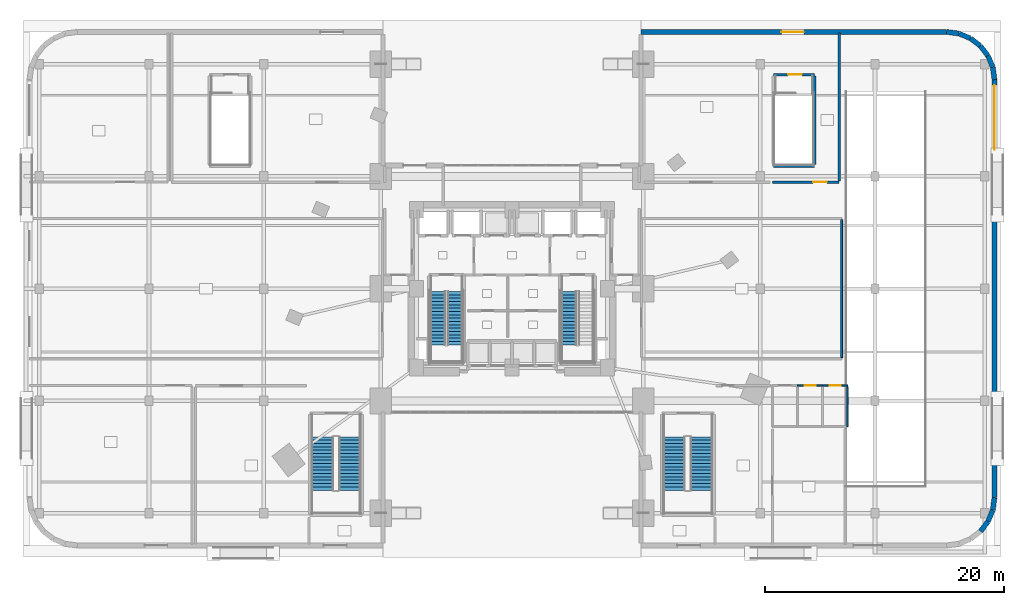
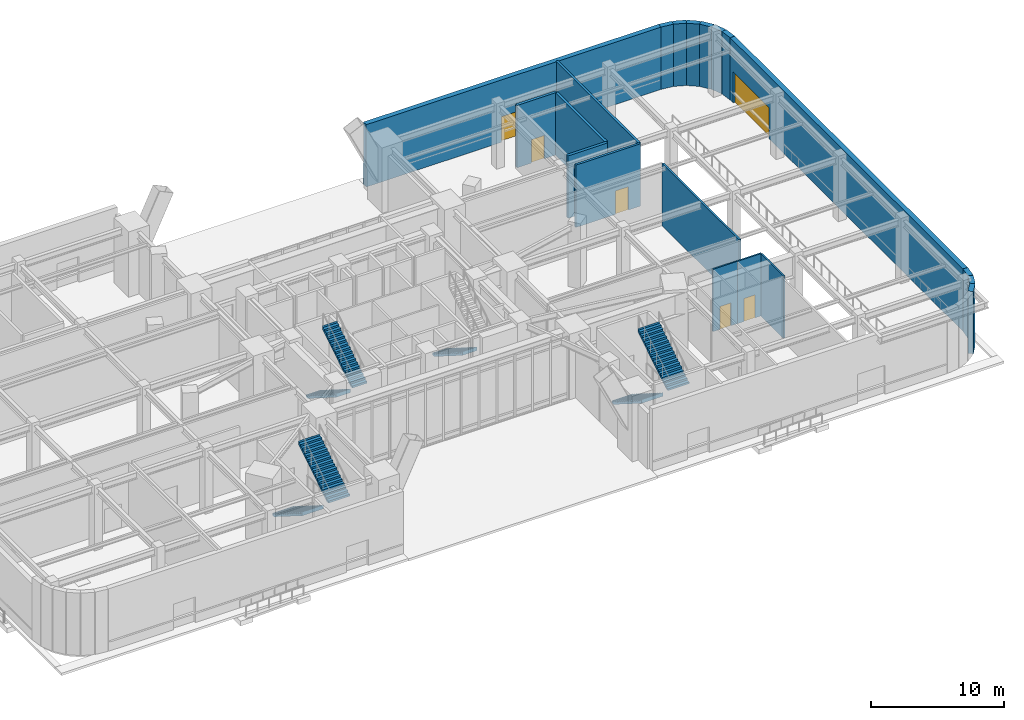
# One storey, part 21 of 27: 20 walls, 7 stair flights, 6 doors, 6 openings, 4 elements without a shape of their own.
"""IFC4 building model written with IfcOpenShell, lengths in metres."""

from ifc_helpers import new_model, si_unit, direction, frame, frame_2d, origin, place, context, subcontext, project, spatial, polyline, rectangle, outline, extrude, material, layer, layer_set, type_object, element, fill, aggregate, save


model = new_model("IFC4")

# Units and contexts
model_context = context("Model", 3, precision=1e-05, world=origin(), true_north=direction((0.0, 1.0)))
body_context = subcontext(model_context, "Body", "Model", "MODEL_VIEW")
ifc_project = project(units=[si_unit("LENGTHUNIT", "METRE"), si_unit("AREAUNIT", "SQUARE_METRE"), si_unit("VOLUMEUNIT", "CUBIC_METRE"), si_unit("PLANEANGLEUNIT", "RADIAN"), si_unit("MASSUNIT", "GRAM", prefix="KILO")], contexts=[model_context])

# Site, building, storey
site_placement = place(None, origin())
site = spatial("IfcSite", under=ifc_project, at=site_placement, CompositionType="ELEMENT")
building_placement = place(site_placement, origin())
building = spatial("IfcBuilding", under=site, at=building_placement, Name="Ndelora Gate Hotel", CompositionType="ELEMENT")
storey_placement = place(building_placement, origin())
storey = spatial("IfcBuildingStorey", under=building, at=storey_placement, Name="L00", CompositionType="ELEMENT", Elevation=0.0)

# Walls
ifc_material_1 = material(Name="Clay Brick Masonry", Category="masonry")
ifc_layer_1 = layer(ifc_material_1, 0.419921875)
ifc_layer_set_1 = layer_set([ifc_layer_1], Name="Clay Brick Masonry")
wall_type_1 = type_object("IfcWallType", Name="WL-BRICK-420", PredefinedType="SOLIDWALL", material=ifc_layer_set_1)
wall_1_placement = place(storey_placement, frame((39.864013671875, -19.5, 0.0), z_axis=(0.0, 0.0, 1.0), x_axis=(-0.608681879412, -0.793414374508, 0.0)))
element("IfcWall", 1, at=wall_1_placement, inside=storey, type_object=wall_type_1, Name="L00 Exterior Brick Pier-and-Spandrel Wall 4", PredefinedType="SOLIDWALL", context=body_context, shape_type="SweptSolid", body=[
    extrude(rectangle(XDim=1.0439453125, YDim=0.419921875, at=frame_2d((0.52197265625, 0.0))), origin(), (0.0, 0.0, 1.0), 5.719970703125),
])
wall_2_placement = place(storey_placement, frame((40.263671875, -18.535400390625, 0.0), z_axis=(0.0, 0.0, 1.0), x_axis=(-0.382771688877, -0.923842970528, 0.0)))
element("IfcWall", 2, at=wall_2_placement, inside=storey, type_object=wall_type_1, Name="L00 Exterior Brick Pier-and-Spandrel Wall 5", PredefinedType="SOLIDWALL", context=body_context, shape_type="SweptSolid", body=[
    extrude(rectangle(XDim=1.044189453125, YDim=0.419921875, at=frame_2d((0.52197265625, 0.0))), origin(), (0.0, 0.0, 1.0), 5.719970703125),
])
wall_3_placement = place(storey_placement, frame((40.39990234375, -17.5, 0.0), z_axis=(0.0, 0.0, 1.0), x_axis=(-0.130448465198, -0.991455091231, 0.0)))
element("IfcWall", 3, at=wall_3_placement, inside=storey, type_object=wall_type_1, Name="L00 Exterior Brick Pier-and-Spandrel Wall 6", PredefinedType="SOLIDWALL", context=body_context, shape_type="SweptSolid", body=[
    extrude(rectangle(XDim=1.04443359375, YDim=0.419921875, at=frame_2d((0.522216796875, 0.0))), origin(), (0.0, 0.0, 1.0), 5.719970703125),
])

# Wall, opening, door
wall_4_placement = place(storey_placement, frame((40.39990234375, 17.5, 0.0), z_axis=(0.0, 0.0, 1.0), x_axis=(0.0, -1.0, 0.0)))
wall_4 = element("IfcWall", 4, at=wall_4_placement, inside=storey, type_object=wall_type_1, Name="L00 Exterior Brick Pier-and-Spandrel Wall 7", PredefinedType="SOLIDWALL", context=body_context, shape_type="SweptSolid", body=[
    extrude(rectangle(XDim=35.0, YDim=0.419921875, at=frame_2d((17.5, 0.0))), origin(), (0.0, 0.0, 1.0), 5.719970703125),
])
opening_1_placement = place(wall_4_placement, frame((0.449951171875, 0.0, 0.0)))
opening_1 = element("IfcOpeningElement", 5, at=opening_1_placement, cuts=wall_4, Name="Opening GD1", PredefinedType="OPENING", context=body_context, shape_type="SweptSolid", body=[
    extrude(rectangle(XDim=5.39990234375, YDim=2.85009765625, at=frame_2d((2.699951171875, 1.425048828125))), frame((0.0, 0.219970703125, 0.0), z_axis=(0.0, -1.0, 0.0), x_axis=(1.0, 0.0, 0.0)), (0.0, 0.0, 1.0), 0.43994140625),
])
ifc_material_2 = material(Name="Galvanized Insulated Steel Shutter", Category="steel")
door_type_1 = type_object("IfcDoorType", Name="DR-SHUT-5400", OperationType="ROLLINGUP", PredefinedType="GATE", material=ifc_material_2)
door_1_placement = place(opening_1_placement, origin())
door_1 = element("IfcDoor", 6, at=door_1_placement, inside=storey, type_object=door_type_1, Name="L00 Basement Car-Park Entry Roller Shutter VG1", OperationType="ROLLINGUP", OverallHeight=2.85009765625, OverallWidth=5.39990234375, PredefinedType="GATE", context=body_context, shape_type="SweptSolid", body=[
    extrude(rectangle(XDim=5.39990234375, YDim=2.85009765625, at=frame_2d((2.699951171875, 1.425048828125))), frame((0.0, 0.02490234375, 0.0), z_axis=(0.0, -1.0, 0.0), x_axis=(1.0, 0.0, 0.0)), (0.0, 0.0, 1.0), 0.050048828125),
])
fill(opening_1, door_1)

# Walls
wall_5_placement = place(storey_placement, frame((40.263671875, 18.535400390625, 0.0), z_axis=(0.0, 0.0, 1.0), x_axis=(0.130448465198, -0.991455091231, 0.0)))
element("IfcWall", 7, at=wall_5_placement, inside=storey, type_object=wall_type_1, Name="L00 Exterior Brick Pier-and-Spandrel Wall 8", PredefinedType="SOLIDWALL", context=body_context, shape_type="SweptSolid", body=[
    extrude(rectangle(XDim=1.04443359375, YDim=0.419921875, at=frame_2d((0.522216796875, 0.0))), origin(), (0.0, 0.0, 1.0), 5.719970703125),
])
wall_6_placement = place(storey_placement, frame((39.864013671875, 19.5, 0.0), z_axis=(0.0, 0.0, 1.0), x_axis=(0.382771688877, -0.923842970528, 0.0)))
element("IfcWall", 8, at=wall_6_placement, inside=storey, type_object=wall_type_1, Name="L00 Exterior Brick Pier-and-Spandrel Wall 9", PredefinedType="SOLIDWALL", context=body_context, shape_type="SweptSolid", body=[
    extrude(rectangle(XDim=1.044189453125, YDim=0.419921875, at=frame_2d((0.52197265625, 0.0))), origin(), (0.0, 0.0, 1.0), 5.719970703125),
])
wall_7_placement = place(storey_placement, frame((39.228515625, 20.328369140625, 0.0), z_axis=(0.0, 0.0, 1.0), x_axis=(0.608681879412, -0.793414374508, 0.0)))
element("IfcWall", 9, at=wall_7_placement, inside=storey, type_object=wall_type_1, Name="L00 Exterior Brick Pier-and-Spandrel Wall 10", PredefinedType="SOLIDWALL", context=body_context, shape_type="SweptSolid", body=[
    extrude(rectangle(XDim=1.0439453125, YDim=0.419921875, at=frame_2d((0.52197265625, 0.0))), origin(), (0.0, 0.0, 1.0), 5.719970703125),
])
wall_8_placement = place(storey_placement, frame((38.39990234375, 20.964111328125, 0.0), z_axis=(0.0, 0.0, 1.0), x_axis=(0.793388088797, -0.608716141198, 0.0)))
element("IfcWall", 10, at=wall_8_placement, inside=storey, type_object=wall_type_1, Name="L00 Exterior Brick Pier-and-Spandrel Wall 11", PredefinedType="SOLIDWALL", context=body_context, shape_type="SweptSolid", body=[
    extrude(rectangle(XDim=1.04443359375, YDim=0.419921875, at=frame_2d((0.522216796875, 0.0))), origin(), (0.0, 0.0, 1.0), 5.719970703125),
])
wall_9_placement = place(storey_placement, frame((37.435302734375, 21.36376953125, 0.0), z_axis=(0.0, 0.0, 1.0), x_axis=(0.923842970528, -0.382771688877, 0.0)))
element("IfcWall", 11, at=wall_9_placement, inside=storey, type_object=wall_type_1, Name="L00 Exterior Brick Pier-and-Spandrel Wall 12", PredefinedType="SOLIDWALL", context=body_context, shape_type="SweptSolid", body=[
    extrude(rectangle(XDim=1.044189453125, YDim=0.419921875, at=frame_2d((0.52197265625, 0.0))), origin(), (0.0, 0.0, 1.0), 5.719970703125),
])
wall_10_placement = place(storey_placement, frame((36.39990234375, 21.5, 0.0), z_axis=(0.0, 0.0, 1.0), x_axis=(0.991455091231, -0.130448465198, 0.0)))
element("IfcWall", 12, at=wall_10_placement, inside=storey, type_object=wall_type_1, Name="L00 Exterior Brick Pier-and-Spandrel Wall 13", PredefinedType="SOLIDWALL", context=body_context, shape_type="SweptSolid", body=[
    extrude(rectangle(XDim=1.04443359375, YDim=0.419921875, at=frame_2d((0.522216796875, 0.0))), origin(), (0.0, 0.0, 1.0), 5.719970703125),
])

# Wall, opening, door
wall_11_placement = place(storey_placement, frame((10.800048828125, 21.5, 0.0), z_axis=(0.0, 0.0, 1.0), x_axis=(1.0, 0.0, 0.0)))
wall_11 = element("IfcWall", 13, at=wall_11_placement, inside=storey, type_object=wall_type_1, Name="L00 Exterior Brick Pier-and-Spandrel Wall 15", PredefinedType="SOLIDWALL", context=body_context, shape_type="SweptSolid", body=[
    extrude(rectangle(XDim=25.599853515625, YDim=0.419921875, at=frame_2d((12.7998046875, 0.0))), origin(), (0.0, 0.0, 1.0), 5.719970703125),
])
opening_2_placement = place(wall_11_placement, frame((11.75, 0.0, 0.0)))
opening_2 = element("IfcOpeningElement", 14, at=opening_2_placement, cuts=wall_11, Name="Opening ED2", PredefinedType="OPENING", context=body_context, shape_type="SweptSolid", body=[
    extrude(rectangle(XDim=1.89990234375, YDim=2.35009765625, at=frame_2d((0.949951171875, 1.175048828125))), frame((0.0, 0.219970703125, 0.0), z_axis=(0.0, -1.0, 0.0), x_axis=(1.0, 0.0, 0.0)), (0.0, 0.0, 1.0), 0.43994140625),
])
ifc_material_3 = material(Name="Architectural Bronze Glazed Door", Category="metal")
door_type_2 = type_object("IfcDoorType", Name="DR-EXT-1900", OperationType="DOUBLE_DOOR_SINGLE_SWING", PredefinedType="DOOR", material=ifc_material_3)
door_2_placement = place(opening_2_placement, origin())
door_2 = element("IfcDoor", 15, at=door_2_placement, inside=storey, type_object=door_type_2, Name="L00 East Protected Exit Discharge Door E-06", OperationType="DOUBLE_DOOR_SINGLE_SWING", OverallHeight=2.35009765625, OverallWidth=1.89990234375, PredefinedType="DOOR", context=body_context, shape_type="SweptSolid", body=[
    extrude(rectangle(XDim=1.89990234375, YDim=2.35009765625, at=frame_2d((0.949951171875, 1.175048828125))), frame((0.0, 0.02490234375, 0.0), z_axis=(0.0, -1.0, 0.0), x_axis=(1.0, 0.0, 0.0)), (0.0, 0.0, 1.0), 0.050048828125),
])
fill(opening_2, door_2)

ifc_material_4 = material(Name="Concrete C40/50", Category="concrete")
ifc_layer_2 = layer(ifc_material_4, 0.199951171875)
ifc_layer_set_2 = layer_set([ifc_layer_2], Name="Concrete C40/50")
wall_type_2 = type_object("IfcWallType", Name="WL-FIRE-200", PredefinedType="PARTITIONING", material=ifc_layer_set_2)
wall_12_placement = place(storey_placement, frame((21.800048828125, 8.919921875, 0.0), z_axis=(0.0, 0.0, 1.0), x_axis=(1.0, 0.0, 0.0)))
wall_12 = element("IfcWall", 16, at=wall_12_placement, inside=storey, type_object=wall_type_2, Name="L00 Interior Wall IW-2", PredefinedType="PARTITIONING", context=body_context, shape_type="SweptSolid", body=[
    extrude(rectangle(XDim=5.599853515625, YDim=0.199951171875, at=frame_2d((2.7998046875, 0.0))), origin(), (0.0, 0.0, 1.0), 5.719970703125),
])
opening_3_placement = place(wall_12_placement, frame((3.425048828125, 0.0, 0.0)))
opening_3 = element("IfcOpeningElement", 17, at=opening_3_placement, cuts=wall_12, Name="Opening FD1", PredefinedType="OPENING", context=body_context, shape_type="SweptSolid", body=[
    extrude(rectangle(XDim=1.14990234375, YDim=2.14990234375, at=frame_2d((0.574951171875, 1.074951171875))), frame((0.0, 0.10986328125, 0.0), z_axis=(0.0, -1.0, 0.0), x_axis=(1.0, 0.0, 0.0)), (0.0, 0.0, 1.0), 0.219970703125),
])
ifc_material_5 = material(Name="Fire-Rated Timber-Veneer Steel Core", Category="steel")
door_type_3 = type_object("IfcDoorType", Name="DR-FD60", OperationType="SINGLE_SWING_LEFT", PredefinedType="DOOR", material=ifc_material_5)
door_3_placement = place(opening_3_placement, origin())
door_3 = element("IfcDoor", 18, at=door_3_placement, inside=storey, type_object=door_type_3, Name="L00 East Protected Exit Passage Door", OperationType="SINGLE_SWING_RIGHT", OverallHeight=2.14990234375, OverallWidth=1.14990234375, PredefinedType="DOOR", context=body_context, shape_type="SweptSolid", body=[
    extrude(rectangle(XDim=1.14990234375, YDim=2.14990234375, at=frame_2d((0.574951171875, 1.074951171875))), frame((0.0, 0.02490234375, 0.0), z_axis=(0.0, -1.0, 0.0), x_axis=(1.0, 0.0, 0.0)), (0.0, 0.0, 1.0), 0.050048828125),
])
fill(opening_3, door_3)

# Walls
wall_13_placement = place(storey_placement, frame((27.39990234375, 9.02001953125, 0.0), z_axis=(0.0, 0.0, 1.0), x_axis=(0.0, 1.0, 0.0)))
element("IfcWall", 19, at=wall_13_placement, inside=storey, type_object=wall_type_2, Name="L00 Interior Wall IW-2", PredefinedType="PARTITIONING", context=body_context, shape_type="SweptSolid", body=[
    extrude(rectangle(XDim=12.3798828125, YDim=0.199951171875, at=frame_2d((6.18994140625, 0.0))), origin(), (0.0, 0.0, 1.0), 5.719970703125),
])
ifc_material_6 = material(Name="Fire-Rated Gypsum Stud Partition", Category="gypsum")
ifc_layer_3 = layer(ifc_material_6, 0.159912109375)
ifc_layer_set_3 = layer_set([ifc_layer_3], Name="Fire-Rated Gypsum Stud Partition")
wall_type_3 = type_object("IfcWallType", Name="WL-PART-160", PredefinedType="PARTITIONING", material=ifc_layer_set_3)
wall_14_placement = place(storey_placement, frame((27.60009765625, -5.780029296875, 0.0), z_axis=(0.0, 0.0, 1.0), x_axis=(0.0, 1.0, 0.0)))
element("IfcWall", 20, at=wall_14_placement, inside=storey, type_object=wall_type_3, Name="L00 Interior Wall IW-4", PredefinedType="PARTITIONING", context=body_context, shape_type="SweptSolid", body=[
    extrude(rectangle(XDim=11.56005859375, YDim=0.159912109375, at=frame_2d((5.780029296875, 0.0))), origin(), (0.0, 0.0, 1.0), 5.719970703125),
])
ifc_material_7 = material(Name="Concrete C50/60", Category="concrete")
ifc_layer_4 = layer(ifc_material_7, 0.239990234375)
ifc_layer_set_4 = layer_set([ifc_layer_4], Name="Concrete C50/60")
wall_type_4 = type_object("IfcWallType", Name="WL-STAIR-240", PredefinedType="SHEAR", material=ifc_layer_set_4)
wall_15_placement = place(storey_placement, frame((25.320068359375, 10.389892578125, 0.0), z_axis=(0.0, 0.0, 1.0), x_axis=(0.0, 1.0, 0.0)))
element("IfcWall", 21, at=wall_15_placement, inside=storey, type_object=wall_type_4, Name="L00 Stair Core Shear Wall SW-ST", PredefinedType="SHEAR", context=body_context, shape_type="SweptSolid", body=[
    extrude(rectangle(XDim=7.420166015625, YDim=0.239990234375, at=frame_2d((3.7099609375, 0.0))), origin(), (0.0, 0.0, 1.0), 5.719970703125),
])
wall_16_placement = place(storey_placement, frame((21.8798828125, 10.280029296875, 0.0), z_axis=(0.0, 0.0, 1.0), x_axis=(1.0, 0.0, 0.0)))
element("IfcWall", 22, at=wall_16_placement, inside=storey, type_object=wall_type_4, Name="L00 Stair Core Shear Wall SW-ST", PredefinedType="SHEAR", context=body_context, shape_type="SweptSolid", body=[
    extrude(rectangle(XDim=3.440185546875, YDim=0.239990234375, at=frame_2d((1.72021484375, 0.0))), origin(), (0.0, 0.0, 1.0), 5.719970703125),
])

# Wall, opening, door
wall_17_placement = place(storey_placement, frame((25.320068359375, 17.919921875, 0.0), z_axis=(0.0, 0.0, 1.0), x_axis=(-1.0, 0.0, 0.0)))
wall_17 = element("IfcWall", 23, at=wall_17_placement, inside=storey, type_object=wall_type_4, Name="L00 Stair Core Shear Wall SW-ST", PredefinedType="SHEAR", context=body_context, shape_type="SweptSolid", body=[
    extrude(rectangle(XDim=3.440185546875, YDim=0.239990234375, at=frame_2d((1.72021484375, 0.0))), origin(), (0.0, 0.0, 1.0), 5.719970703125),
])
opening_4_placement = place(wall_17_placement, frame((1.050048828125, 0.0, 0.0)))
opening_4 = element("IfcOpeningElement", 24, at=opening_4_placement, cuts=wall_17, Name="Opening FD1", PredefinedType="OPENING", context=body_context, shape_type="SweptSolid", body=[
    extrude(rectangle(XDim=1.14990234375, YDim=2.14990234375, at=frame_2d((0.574951171875, 1.074951171875))), frame((0.0, 0.1298828125, 0.0), z_axis=(0.0, -1.0, 0.0), x_axis=(1.0, 0.0, 0.0)), (0.0, 0.0, 1.0), 0.260009765625),
])
door_4_placement = place(opening_4_placement, origin())
door_4 = element("IfcDoor", 25, at=door_4_placement, inside=storey, type_object=door_type_3, Name="L00 Basement Stair ST2 Protected Passage Door", OperationType="SINGLE_SWING_LEFT", OverallHeight=2.14990234375, OverallWidth=1.14990234375, PredefinedType="DOOR", context=body_context, shape_type="SweptSolid", body=[
    extrude(rectangle(XDim=1.14990234375, YDim=2.14990234375, at=frame_2d((0.574951171875, 1.074951171875))), frame((0.0, 0.02490234375, 0.0), z_axis=(0.0, -1.0, 0.0), x_axis=(1.0, 0.0, 0.0)), (0.0, 0.0, 1.0), 0.050048828125),
])
fill(opening_4, door_4)

ifc_material_8 = material(Name="Moisture-Resistant Fire-Rated Tile Partition", Category="gypsum")
ifc_layer_5 = layer(ifc_material_8, 0.1298828125)
ifc_layer_set_5 = layer_set([ifc_layer_5], Name="Moisture-Resistant Fire-Rated Tile Partition")
wall_type_5 = type_object("IfcWallType", Name="WL-WET-RATED", PredefinedType="PARTITIONING", material=ifc_layer_set_5)
wall_18_placement = place(storey_placement, frame((26.0, -8.10009765625, 0.0), z_axis=(0.0, 0.0, 1.0), x_axis=(-1.0, 0.0, 0.0)))
wall_18 = element("IfcWall", 26, at=wall_18_placement, inside=storey, type_object=wall_type_5, Name="L00 Interior Wall IW-6", PredefinedType="PARTITIONING", context=body_context, shape_type="SweptSolid", body=[
    extrude(rectangle(XDim=2.10009765625, YDim=0.1298828125, at=frame_2d((1.050048828125, 0.0))), origin(), (0.0, 0.0, 1.0), 5.719970703125),
])
opening_5_placement = place(wall_18_placement, frame((0.550048828125, 0.0, 0.0)))
opening_5 = element("IfcOpeningElement", 27, at=opening_5_placement, cuts=wall_18, Name="Opening D05", PredefinedType="OPENING", context=body_context, shape_type="SweptSolid", body=[
    extrude(rectangle(XDim=0.949951171875, YDim=2.10009765625, at=frame_2d((0.47509765625, 1.050048828125))), frame((0.0, 0.074951171875, 0.0), z_axis=(0.0, -1.0, 0.0), x_axis=(1.0, 0.0, 0.0)), (0.0, 0.0, 1.0), 0.14990234375),
])
ifc_material_9 = material(Name="Accessible Restroom Wide-Clearance Door", Category="wood")
door_type_4 = type_object("IfcDoorType", Name="DR-ACC-950", OperationType="SINGLE_SWING_LEFT", PredefinedType="DOOR", material=ifc_material_9)
door_5_placement = place(opening_5_placement, origin())
door_5 = element("IfcDoor", 28, at=door_5_placement, inside=storey, type_object=door_type_4, Name="L00 Female Public Restroom Door", OperationType="SINGLE_SWING_RIGHT", OverallHeight=2.10009765625, OverallWidth=0.949951171875, PredefinedType="DOOR", context=body_context, shape_type="SweptSolid", body=[
    extrude(rectangle(XDim=0.949951171875, YDim=2.10009765625, at=frame_2d((0.47509765625, 1.050048828125))), frame((0.0, 0.02490234375, 0.0), z_axis=(0.0, -1.0, 0.0), x_axis=(1.0, 0.0, 0.0)), (0.0, 0.0, 1.0), 0.050048828125),
])
fill(opening_5, door_5)

wall_19_placement = place(storey_placement, frame((28.10009765625, -8.10009765625, 0.0), z_axis=(0.0, 0.0, 1.0), x_axis=(-1.0, 0.0, 0.0)))
wall_19 = element("IfcWall", 29, at=wall_19_placement, inside=storey, type_object=wall_type_5, Name="L00 Interior Wall IW-6", PredefinedType="PARTITIONING", context=body_context, shape_type="SweptSolid", body=[
    extrude(rectangle(XDim=2.10009765625, YDim=0.1298828125, at=frame_2d((1.050048828125, 0.0))), origin(), (0.0, 0.0, 1.0), 5.719970703125),
])
opening_6_placement = place(wall_19_placement, frame((0.550048828125, 0.0, 0.0)))
opening_6 = element("IfcOpeningElement", 30, at=opening_6_placement, cuts=wall_19, Name="Opening D05", PredefinedType="OPENING", context=body_context, shape_type="SweptSolid", body=[
    extrude(rectangle(XDim=0.949951171875, YDim=2.10009765625, at=frame_2d((0.47509765625, 1.050048828125))), frame((0.0, 0.074951171875, 0.0), z_axis=(0.0, -1.0, 0.0), x_axis=(1.0, 0.0, 0.0)), (0.0, 0.0, 1.0), 0.14990234375),
])
door_6_placement = place(opening_6_placement, origin())
door_6 = element("IfcDoor", 31, at=door_6_placement, inside=storey, type_object=door_type_4, Name="L00 Accessible WC Door", OperationType="SINGLE_SWING_LEFT", OverallHeight=2.10009765625, OverallWidth=0.949951171875, PredefinedType="DOOR", context=body_context, shape_type="SweptSolid", body=[
    extrude(rectangle(XDim=0.949951171875, YDim=2.10009765625, at=frame_2d((0.47509765625, 1.050048828125))), frame((0.0, 0.02490234375, 0.0), z_axis=(0.0, -1.0, 0.0), x_axis=(1.0, 0.0, 0.0)), (0.0, 0.0, 1.0), 0.050048828125),
])
fill(opening_6, door_6)

# Wall
wall_20_placement = place(storey_placement, frame((28.10009765625, -11.550048828125, 0.0), z_axis=(0.0, 0.0, 1.0), x_axis=(0.0, 1.0, 0.0)))
element("IfcWall", 32, at=wall_20_placement, inside=storey, type_object=wall_type_5, Name="L00 Interior Wall IW-6", PredefinedType="PARTITIONING", context=body_context, shape_type="SweptSolid", body=[
    extrude(rectangle(XDim=3.340087890625, YDim=0.1298828125, at=frame_2d((1.669921875, 0.0))), origin(), (0.0, 0.0, 1.0), 5.719970703125),
])

# Stair, stair flights
ifc_material_10 = material(Name="Precast concrete C40/50", Category="concrete")
stair_type_1 = type_object("IfcStairType", Name="STR-DOG-CORE", PredefinedType="HALF_TURN_STAIR", material=ifc_material_10)
stair_1_placement = place(storey_placement, origin())
stair_1 = element("IfcStair", 33, at=stair_1_placement, inside=storey, type_object=stair_type_1, Name="L00 Protected Core Exit Stair ST4", PredefinedType="HALF_TURN_STAIR")
stair_flight_type_1 = type_object("IfcStairFlightType", Name="STF-PRECAST", PredefinedType="STRAIGHT", material=ifc_material_10)
stair_flight_1_placement = place(storey_placement, frame((-6.2099609375, -0.22998046875, 0.0), z_axis=(0.0, 0.0, 1.0), x_axis=(0.0, -1.0, 0.0)))
stair_flight_1 = element("IfcStairFlight", 34, at=stair_flight_1_placement, type_object=stair_flight_type_1, Name="ST4 flight 1", NumberOfRisers=17, NumberOfTreads=16, PredefinedType="STRAIGHT", RiserHeight=0.176470588, TreadLength=0.28, context=body_context, shape_type="SweptSolid", body=[
    extrude(outline(polyline([(-0.00048828125, 0.0), (-0.00048828125, 0.176513671875), (0.0, 0.176513671875), (0.280029296875, 0.176513671875), (0.280029296875, 0.35302734375), (0.56005859375, 0.35302734375), (0.56005859375, 0.529296875), (0.840087890625, 0.529296875), (0.840087890625, 0.705810546875), (1.1201171875, 0.705810546875), (1.1201171875, 0.88232421875), (1.39990234375, 0.88232421875), (1.39990234375, 1.058837890625), (1.679931640625, 1.058837890625), (1.679931640625, 1.2353515625), (1.9599609375, 1.2353515625), (1.9599609375, 1.411865234375), (2.239990234375, 1.411865234375), (2.239990234375, 1.588134765625), (2.52001953125, 1.588134765625), (2.52001953125, 1.7646484375), (2.800048828125, 1.7646484375), (2.800048828125, 1.941162109375), (3.080078125, 1.941162109375), (3.080078125, 2.11767578125), (3.360107421875, 2.11767578125), (3.360107421875, 2.294189453125), (3.639892578125, 2.294189453125), (3.639892578125, 2.470703125), (3.919921875, 2.470703125), (3.919921875, 2.64697265625), (4.199951171875, 2.64697265625), (4.199951171875, 2.823486328125), (4.47998046875, 2.823486328125), (4.47998046875, 3.0), (4.480712890625, 3.0), (4.480712890625, 2.820068359375), (4.47998046875, 2.646240234375), (0.28125, 0.0), (-0.00048828125, 0.0)])), frame((0.0, 0.64013671875, 0.0), z_axis=(0.0, -1.0, 0.0), x_axis=(1.0, 0.0, 0.0)), (0.0, 0.0, 1.0), 1.280029296875),
])
stair_flight_2_placement = place(storey_placement, frame((-4.77001953125, -4.7099609375, 3.0), z_axis=(0.0, 0.0, 1.0), x_axis=(0.0, 1.0, 0.0)))
stair_flight_2 = element("IfcStairFlight", 35, at=stair_flight_2_placement, type_object=stair_flight_type_1, Name="ST4 flight 2", NumberOfRisers=17, NumberOfTreads=16, PredefinedType="STRAIGHT", RiserHeight=0.176470588, TreadLength=0.28, context=body_context, shape_type="SweptSolid", body=[
    extrude(outline(polyline([(-0.00048828125, 0.0), (-0.00048828125, 0.176513671875), (0.0, 0.176513671875), (0.280029296875, 0.176513671875), (0.280029296875, 0.35302734375), (0.56005859375, 0.35302734375), (0.56005859375, 0.529296875), (0.840087890625, 0.529296875), (0.840087890625, 0.705810546875), (1.1201171875, 0.705810546875), (1.1201171875, 0.88232421875), (1.39990234375, 0.88232421875), (1.39990234375, 1.058837890625), (1.679931640625, 1.058837890625), (1.679931640625, 1.2353515625), (1.9599609375, 1.2353515625), (1.9599609375, 1.411865234375), (2.239990234375, 1.411865234375), (2.239990234375, 1.588134765625), (2.52001953125, 1.588134765625), (2.52001953125, 1.7646484375), (2.800048828125, 1.7646484375), (2.800048828125, 1.941162109375), (3.080078125, 1.941162109375), (3.080078125, 2.11767578125), (3.360107421875, 2.11767578125), (3.360107421875, 2.294189453125), (3.639892578125, 2.294189453125), (3.639892578125, 2.470703125), (3.919921875, 2.470703125), (3.919921875, 2.64697265625), (4.199951171875, 2.64697265625), (4.199951171875, 2.823486328125), (4.47998046875, 2.823486328125), (4.47998046875, 3.0), (4.480712890625, 3.0), (4.480712890625, 2.820068359375), (4.47998046875, 2.646240234375), (0.28125, 0.0), (-0.00048828125, 0.0)])), frame((0.0, 0.64013671875, 0.0), z_axis=(0.0, -1.0, 0.0), x_axis=(1.0, 0.0, 0.0)), (0.0, 0.0, 1.0), 1.280029296875),
])
aggregate(stair_1, [stair_flight_1, stair_flight_2])

# Stair, stair flight
stair_2_placement = place(storey_placement, origin())
stair_2 = element("IfcStair", 36, at=stair_2_placement, inside=storey, type_object=stair_type_1, Name="L00 Protected Core Exit Stair ST5", PredefinedType="HALF_TURN_STAIR")
stair_flight_3_placement = place(storey_placement, frame((4.77001953125, -0.22998046875, 0.0), z_axis=(0.0, 0.0, 1.0), x_axis=(0.0, -1.0, 0.0)))
stair_flight_3 = element("IfcStairFlight", 37, at=stair_flight_3_placement, type_object=stair_flight_type_1, Name="ST5 flight 1", NumberOfRisers=17, NumberOfTreads=16, PredefinedType="STRAIGHT", RiserHeight=0.176470588, TreadLength=0.28, context=body_context, shape_type="SweptSolid", body=[
    extrude(outline(polyline([(-0.00048828125, 0.0), (-0.00048828125, 0.176513671875), (0.0, 0.176513671875), (0.280029296875, 0.176513671875), (0.280029296875, 0.35302734375), (0.56005859375, 0.35302734375), (0.56005859375, 0.529296875), (0.840087890625, 0.529296875), (0.840087890625, 0.705810546875), (1.1201171875, 0.705810546875), (1.1201171875, 0.88232421875), (1.39990234375, 0.88232421875), (1.39990234375, 1.058837890625), (1.679931640625, 1.058837890625), (1.679931640625, 1.2353515625), (1.9599609375, 1.2353515625), (1.9599609375, 1.411865234375), (2.239990234375, 1.411865234375), (2.239990234375, 1.588134765625), (2.52001953125, 1.588134765625), (2.52001953125, 1.7646484375), (2.800048828125, 1.7646484375), (2.800048828125, 1.941162109375), (3.080078125, 1.941162109375), (3.080078125, 2.11767578125), (3.360107421875, 2.11767578125), (3.360107421875, 2.294189453125), (3.639892578125, 2.294189453125), (3.639892578125, 2.470703125), (3.919921875, 2.470703125), (3.919921875, 2.64697265625), (4.199951171875, 2.64697265625), (4.199951171875, 2.823486328125), (4.47998046875, 2.823486328125), (4.47998046875, 3.0), (4.480712890625, 3.0), (4.480712890625, 2.820068359375), (4.47998046875, 2.646240234375), (0.28125, 0.0), (-0.00048828125, 0.0)])), frame((0.0, 0.64013671875, 0.0), z_axis=(0.0, -1.0, 0.0), x_axis=(1.0, 0.0, 0.0)), (0.0, 0.0, 1.0), 1.280029296875),
])
aggregate(stair_2, [stair_flight_3])

# Stair, stair flights
stair_type_2 = type_object("IfcStairType", Name="STR-DOG-POD", PredefinedType="HALF_TURN_STAIR", material=ifc_material_10)
stair_3_placement = place(storey_placement, origin())
stair_3 = element("IfcStair", 38, at=stair_3_placement, inside=storey, type_object=stair_type_2, Name="L00 Podium Ballroom Exit Stair ST3A", PredefinedType="HALF_TURN_STAIR")
stair_flight_type_2 = type_object("IfcStairFlightType", Name="STF-PRECAST-WIDE", PredefinedType="STRAIGHT", material=ifc_material_10)
stair_flight_4_placement = place(storey_placement, frame((-15.875, -12.39990234375, 0.0), z_axis=(0.0, 0.0, 1.0), x_axis=(0.0, -1.0, 0.0)))
stair_flight_4 = element("IfcStairFlight", 39, at=stair_flight_4_placement, type_object=stair_flight_type_2, Name="ST3A flight 1", NumberOfRisers=17, NumberOfTreads=16, PredefinedType="STRAIGHT", RiserHeight=0.176470588, TreadLength=0.28, context=body_context, shape_type="SweptSolid", body=[
    extrude(outline(polyline([(-0.00048828125, 0.0), (-0.00048828125, 0.176513671875), (0.0, 0.176513671875), (0.280029296875, 0.176513671875), (0.280029296875, 0.35302734375), (0.56005859375, 0.35302734375), (0.56005859375, 0.529296875), (0.840087890625, 0.529296875), (0.840087890625, 0.705810546875), (1.1201171875, 0.705810546875), (1.1201171875, 0.88232421875), (1.39990234375, 0.88232421875), (1.39990234375, 1.058837890625), (1.679931640625, 1.058837890625), (1.679931640625, 1.2353515625), (1.9599609375, 1.2353515625), (1.9599609375, 1.411865234375), (2.239990234375, 1.411865234375), (2.239990234375, 1.588134765625), (2.52001953125, 1.588134765625), (2.52001953125, 1.7646484375), (2.800048828125, 1.7646484375), (2.800048828125, 1.941162109375), (3.080078125, 1.941162109375), (3.080078125, 2.11767578125), (3.360107421875, 2.11767578125), (3.360107421875, 2.294189453125), (3.639892578125, 2.294189453125), (3.639892578125, 2.470703125), (3.919921875, 2.470703125), (3.919921875, 2.64697265625), (4.199951171875, 2.64697265625), (4.199951171875, 2.823486328125), (4.47998046875, 2.823486328125), (4.47998046875, 3.0), (4.480712890625, 3.0), (4.480712890625, 2.820068359375), (4.47998046875, 2.646240234375), (0.28125, 0.0), (-0.00048828125, 0.0)])), frame((0.0, 0.925048828125, 0.0), z_axis=(0.0, -1.0, 0.0), x_axis=(1.0, 0.0, 0.0)), (0.0, 0.0, 1.0), 1.85009765625),
])
stair_flight_5_placement = place(storey_placement, frame((-13.5849609375, -16.8798828125, 3.0), z_axis=(0.0, 0.0, 1.0), x_axis=(0.0, 1.0, 0.0)))
stair_flight_5 = element("IfcStairFlight", 40, at=stair_flight_5_placement, type_object=stair_flight_type_2, Name="ST3A flight 2", NumberOfRisers=17, NumberOfTreads=16, PredefinedType="STRAIGHT", RiserHeight=0.176470588, TreadLength=0.28, context=body_context, shape_type="SweptSolid", body=[
    extrude(outline(polyline([(-0.00048828125, 0.0), (-0.00048828125, 0.176513671875), (0.0, 0.176513671875), (0.280029296875, 0.176513671875), (0.280029296875, 0.35302734375), (0.56005859375, 0.35302734375), (0.56005859375, 0.529296875), (0.840087890625, 0.529296875), (0.840087890625, 0.705810546875), (1.1201171875, 0.705810546875), (1.1201171875, 0.88232421875), (1.39990234375, 0.88232421875), (1.39990234375, 1.058837890625), (1.679931640625, 1.058837890625), (1.679931640625, 1.2353515625), (1.9599609375, 1.2353515625), (1.9599609375, 1.411865234375), (2.239990234375, 1.411865234375), (2.239990234375, 1.588134765625), (2.52001953125, 1.588134765625), (2.52001953125, 1.7646484375), (2.800048828125, 1.7646484375), (2.800048828125, 1.941162109375), (3.080078125, 1.941162109375), (3.080078125, 2.11767578125), (3.360107421875, 2.11767578125), (3.360107421875, 2.294189453125), (3.639892578125, 2.294189453125), (3.639892578125, 2.470703125), (3.919921875, 2.470703125), (3.919921875, 2.64697265625), (4.199951171875, 2.64697265625), (4.199951171875, 2.823486328125), (4.47998046875, 2.823486328125), (4.47998046875, 3.0), (4.480712890625, 3.0), (4.480712890625, 2.820068359375), (4.47998046875, 2.646240234375), (0.28125, 0.0), (-0.00048828125, 0.0)])), frame((0.0, 0.925048828125, 0.0), z_axis=(0.0, -1.0, 0.0), x_axis=(1.0, 0.0, 0.0)), (0.0, 0.0, 1.0), 1.85009765625),
])
aggregate(stair_3, [stair_flight_4, stair_flight_5])

stair_4_placement = place(storey_placement, origin())
stair_4 = element("IfcStair", 41, at=stair_4_placement, inside=storey, type_object=stair_type_2, Name="L00 Podium Conference Exit Stair ST3B", PredefinedType="HALF_TURN_STAIR")
stair_flight_6_placement = place(storey_placement, frame((13.5849609375, -12.39990234375, 0.0), z_axis=(0.0, 0.0, 1.0), x_axis=(0.0, -1.0, 0.0)))
stair_flight_6 = element("IfcStairFlight", 42, at=stair_flight_6_placement, type_object=stair_flight_type_2, Name="ST3B flight 1", NumberOfRisers=17, NumberOfTreads=16, PredefinedType="STRAIGHT", RiserHeight=0.176470588, TreadLength=0.28, context=body_context, shape_type="SweptSolid", body=[
    extrude(outline(polyline([(-0.00048828125, 0.0), (-0.00048828125, 0.176513671875), (0.0, 0.176513671875), (0.280029296875, 0.176513671875), (0.280029296875, 0.35302734375), (0.56005859375, 0.35302734375), (0.56005859375, 0.529296875), (0.840087890625, 0.529296875), (0.840087890625, 0.705810546875), (1.1201171875, 0.705810546875), (1.1201171875, 0.88232421875), (1.39990234375, 0.88232421875), (1.39990234375, 1.058837890625), (1.679931640625, 1.058837890625), (1.679931640625, 1.2353515625), (1.9599609375, 1.2353515625), (1.9599609375, 1.411865234375), (2.239990234375, 1.411865234375), (2.239990234375, 1.588134765625), (2.52001953125, 1.588134765625), (2.52001953125, 1.7646484375), (2.800048828125, 1.7646484375), (2.800048828125, 1.941162109375), (3.080078125, 1.941162109375), (3.080078125, 2.11767578125), (3.360107421875, 2.11767578125), (3.360107421875, 2.294189453125), (3.639892578125, 2.294189453125), (3.639892578125, 2.470703125), (3.919921875, 2.470703125), (3.919921875, 2.64697265625), (4.199951171875, 2.64697265625), (4.199951171875, 2.823486328125), (4.47998046875, 2.823486328125), (4.47998046875, 3.0), (4.480712890625, 3.0), (4.480712890625, 2.820068359375), (4.47998046875, 2.646240234375), (0.28125, 0.0), (-0.00048828125, 0.0)])), frame((0.0, 0.925048828125, 0.0), z_axis=(0.0, -1.0, 0.0), x_axis=(1.0, 0.0, 0.0)), (0.0, 0.0, 1.0), 1.85009765625),
])
stair_flight_7_placement = place(storey_placement, frame((15.875, -16.8798828125, 3.0), z_axis=(0.0, 0.0, 1.0), x_axis=(0.0, 1.0, 0.0)))
stair_flight_7 = element("IfcStairFlight", 43, at=stair_flight_7_placement, type_object=stair_flight_type_2, Name="ST3B flight 2", NumberOfRisers=17, NumberOfTreads=16, PredefinedType="STRAIGHT", RiserHeight=0.176470588, TreadLength=0.28, context=body_context, shape_type="SweptSolid", body=[
    extrude(outline(polyline([(-0.00048828125, 0.0), (-0.00048828125, 0.176513671875), (0.0, 0.176513671875), (0.280029296875, 0.176513671875), (0.280029296875, 0.35302734375), (0.56005859375, 0.35302734375), (0.56005859375, 0.529296875), (0.840087890625, 0.529296875), (0.840087890625, 0.705810546875), (1.1201171875, 0.705810546875), (1.1201171875, 0.88232421875), (1.39990234375, 0.88232421875), (1.39990234375, 1.058837890625), (1.679931640625, 1.058837890625), (1.679931640625, 1.2353515625), (1.9599609375, 1.2353515625), (1.9599609375, 1.411865234375), (2.239990234375, 1.411865234375), (2.239990234375, 1.588134765625), (2.52001953125, 1.588134765625), (2.52001953125, 1.7646484375), (2.800048828125, 1.7646484375), (2.800048828125, 1.941162109375), (3.080078125, 1.941162109375), (3.080078125, 2.11767578125), (3.360107421875, 2.11767578125), (3.360107421875, 2.294189453125), (3.639892578125, 2.294189453125), (3.639892578125, 2.470703125), (3.919921875, 2.470703125), (3.919921875, 2.64697265625), (4.199951171875, 2.64697265625), (4.199951171875, 2.823486328125), (4.47998046875, 2.823486328125), (4.47998046875, 3.0), (4.480712890625, 3.0), (4.480712890625, 2.820068359375), (4.47998046875, 2.646240234375), (0.28125, 0.0), (-0.00048828125, 0.0)])), frame((0.0, 0.925048828125, 0.0), z_axis=(0.0, -1.0, 0.0), x_axis=(1.0, 0.0, 0.0)), (0.0, 0.0, 1.0), 1.85009765625),
])
aggregate(stair_4, [stair_flight_6, stair_flight_7])

save(model, "model.ifc")
